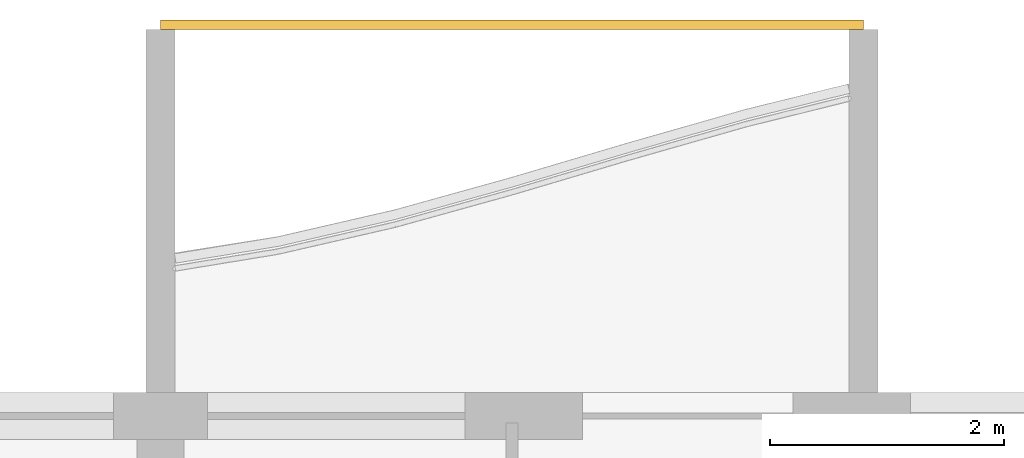
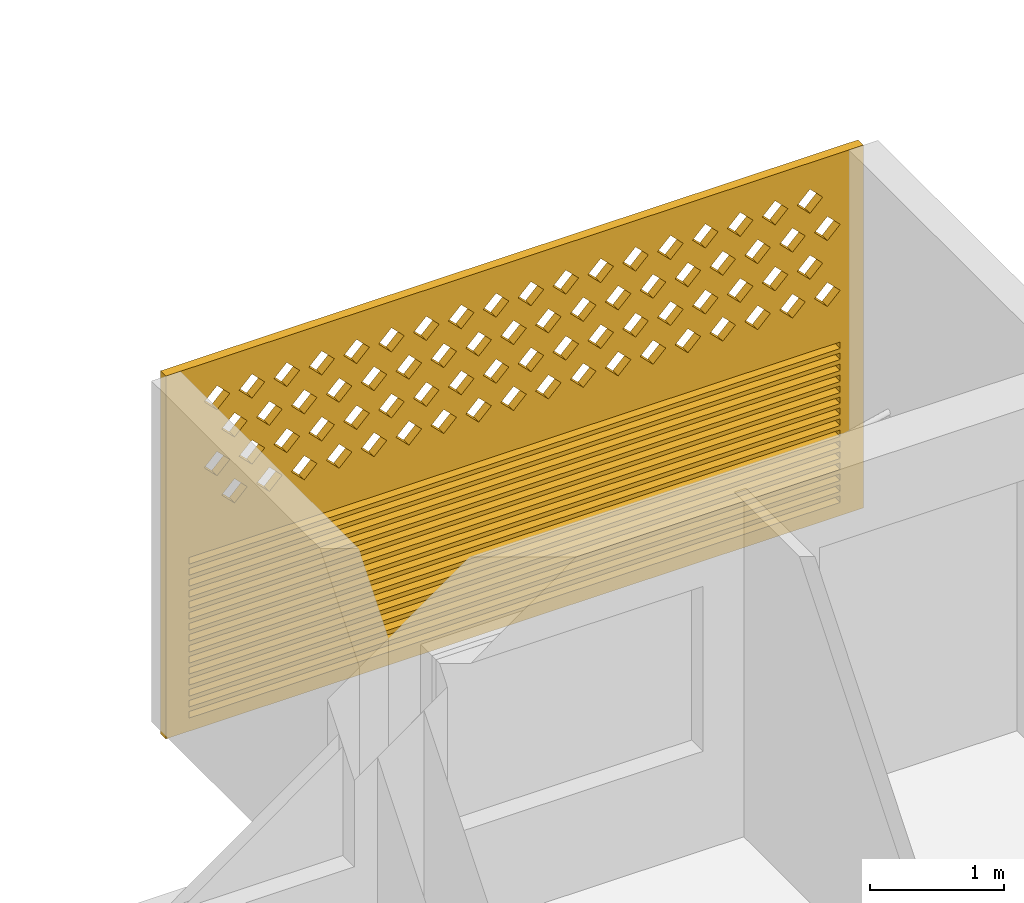
# One storey, part 25 of 40: 1 covering.
"""IFC4 building model written with IfcOpenShell, lengths in metres."""

from ifc_helpers import new_model, si_unit, direction, frame, origin, place, context, subcontext, project, spatial, polyline, outline, extrude, source, transform, mapped, material, material_profile, profile_set, type_object, element, save


model = new_model("IFC4")

# Units and contexts
model_context = context("Model", 3, precision=1e-05, world=origin(), true_north=direction((0.0, 1.0)))
body_context = subcontext(model_context, "Body", "Model", "MODEL_VIEW")
ifc_project = project(units=[si_unit("LENGTHUNIT", "METRE"), si_unit("AREAUNIT", "SQUARE_METRE"), si_unit("VOLUMEUNIT", "CUBIC_METRE"), si_unit("PLANEANGLEUNIT", "RADIAN"), si_unit("MASSUNIT", "GRAM", prefix="KILO")], contexts=[model_context])

# Site, building, storey
site_placement = place(None, origin())
site = spatial("IfcSite", under=ifc_project, at=site_placement, CompositionType="ELEMENT")
building_placement = place(site_placement, origin())
building = spatial("IfcBuilding", under=site, at=building_placement, Name="Poui Terraces", CompositionType="ELEMENT")
storey_placement = place(building_placement, frame((0.0, 0.0, 33.300048828125)))
storey = spatial("IfcBuildingStorey", under=building, at=storey_placement, Name="L08", CompositionType="ELEMENT", Elevation=33.300048828125)

# Covering
ifc_material = material(Name="Terracotta screen", Category="masonry")
ifc_material_profile = material_profile(ifc_material, outline(polyline([(-3.0, -1.64990234375), (3.0, -1.64990234375), (3.0, 1.64990234375), (-3.0, 1.64990234375), (-3.0, -1.64990234375)]), holes=[polyline([(-2.800048828125, 0.39990234375), (-2.68994140625, 0.2900390625), (-2.580078125, 0.39990234375), (-2.68994140625, 0.510009765625), (-2.800048828125, 0.39990234375)]), polyline([(-2.5, 0.39990234375), (-2.389892578125, 0.2900390625), (-2.280029296875, 0.39990234375), (-2.389892578125, 0.510009765625), (-2.5, 0.39990234375)]), polyline([(-2.199951171875, 0.39990234375), (-2.090087890625, 0.2900390625), (-1.97998046875, 0.39990234375), (-2.090087890625, 0.510009765625), (-2.199951171875, 0.39990234375)]), polyline([(-1.89990234375, 0.39990234375), (-1.7900390625, 0.2900390625), (-1.679931640625, 0.39990234375), (-1.7900390625, 0.510009765625), (-1.89990234375, 0.39990234375)]), polyline([(-1.60009765625, 0.39990234375), (-1.489990234375, 0.2900390625), (-1.3798828125, 0.39990234375), (-1.489990234375, 0.510009765625), (-1.60009765625, 0.39990234375)]), polyline([(-1.300048828125, 0.39990234375), (-1.18994140625, 0.2900390625), (-1.080078125, 0.39990234375), (-1.18994140625, 0.510009765625), (-1.300048828125, 0.39990234375)]), polyline([(-1.0, 0.39990234375), (-0.889892578125, 0.2900390625), (-0.780029296875, 0.39990234375), (-0.889892578125, 0.510009765625), (-1.0, 0.39990234375)]), polyline([(-0.699951171875, 0.39990234375), (-0.590087890625, 0.2900390625), (-0.47998046875, 0.39990234375), (-0.590087890625, 0.510009765625), (-0.699951171875, 0.39990234375)]), polyline([(-0.39990234375, 0.39990234375), (-0.2900390625, 0.2900390625), (-0.179931640625, 0.39990234375), (-0.2900390625, 0.510009765625), (-0.39990234375, 0.39990234375)]), polyline([(-0.10009765625, 0.39990234375), (0.010009765625, 0.2900390625), (0.1201171875, 0.39990234375), (0.010009765625, 0.510009765625), (-0.10009765625, 0.39990234375)]), polyline([(0.199951171875, 0.39990234375), (0.31005859375, 0.2900390625), (0.419921875, 0.39990234375), (0.31005859375, 0.510009765625), (0.199951171875, 0.39990234375)]), polyline([(0.5, 0.39990234375), (0.610107421875, 0.2900390625), (0.719970703125, 0.39990234375), (0.610107421875, 0.510009765625), (0.5, 0.39990234375)]), polyline([(0.800048828125, 0.39990234375), (0.909912109375, 0.2900390625), (1.02001953125, 0.39990234375), (0.909912109375, 0.510009765625), (0.800048828125, 0.39990234375)]), polyline([(1.10009765625, 0.39990234375), (1.2099609375, 0.2900390625), (1.320068359375, 0.39990234375), (1.2099609375, 0.510009765625), (1.10009765625, 0.39990234375)]), polyline([(1.39990234375, 0.39990234375), (1.510009765625, 0.2900390625), (1.6201171875, 0.39990234375), (1.510009765625, 0.510009765625), (1.39990234375, 0.39990234375)]), polyline([(1.699951171875, 0.39990234375), (1.81005859375, 0.2900390625), (1.919921875, 0.39990234375), (1.81005859375, 0.510009765625), (1.699951171875, 0.39990234375)]), polyline([(2.0, 0.39990234375), (2.110107421875, 0.2900390625), (2.219970703125, 0.39990234375), (2.110107421875, 0.510009765625), (2.0, 0.39990234375)]), polyline([(2.300048828125, 0.39990234375), (2.409912109375, 0.2900390625), (2.52001953125, 0.39990234375), (2.409912109375, 0.510009765625), (2.300048828125, 0.39990234375)]), polyline([(-2.64990234375, 0.699951171875), (-2.5400390625, 0.590087890625), (-2.429931640625, 0.699951171875), (-2.5400390625, 0.81005859375), (-2.64990234375, 0.699951171875)]), polyline([(-2.35009765625, 0.699951171875), (-2.239990234375, 0.590087890625), (-2.1298828125, 0.699951171875), (-2.239990234375, 0.81005859375), (-2.35009765625, 0.699951171875)]), polyline([(-2.050048828125, 0.699951171875), (-1.93994140625, 0.590087890625), (-1.830078125, 0.699951171875), (-1.93994140625, 0.81005859375), (-2.050048828125, 0.699951171875)]), polyline([(-1.75, 0.699951171875), (-1.639892578125, 0.590087890625), (-1.530029296875, 0.699951171875), (-1.639892578125, 0.81005859375), (-1.75, 0.699951171875)]), polyline([(-1.449951171875, 0.699951171875), (-1.340087890625, 0.590087890625), (-1.22998046875, 0.699951171875), (-1.340087890625, 0.81005859375), (-1.449951171875, 0.699951171875)]), polyline([(-1.14990234375, 0.699951171875), (-1.0400390625, 0.590087890625), (-0.929931640625, 0.699951171875), (-1.0400390625, 0.81005859375), (-1.14990234375, 0.699951171875)]), polyline([(-0.85009765625, 0.699951171875), (-0.739990234375, 0.590087890625), (-0.6298828125, 0.699951171875), (-0.739990234375, 0.81005859375), (-0.85009765625, 0.699951171875)]), polyline([(-0.550048828125, 0.699951171875), (-0.43994140625, 0.590087890625), (-0.330078125, 0.699951171875), (-0.43994140625, 0.81005859375), (-0.550048828125, 0.699951171875)]), polyline([(-0.25, 0.699951171875), (-0.139892578125, 0.590087890625), (-0.030029296875, 0.699951171875), (-0.139892578125, 0.81005859375), (-0.25, 0.699951171875)]), polyline([(0.050048828125, 0.699951171875), (0.159912109375, 0.590087890625), (0.27001953125, 0.699951171875), (0.159912109375, 0.81005859375), (0.050048828125, 0.699951171875)]), polyline([(0.35009765625, 0.699951171875), (0.4599609375, 0.590087890625), (0.570068359375, 0.699951171875), (0.4599609375, 0.81005859375), (0.35009765625, 0.699951171875)]), polyline([(0.64990234375, 0.699951171875), (0.760009765625, 0.590087890625), (0.8701171875, 0.699951171875), (0.760009765625, 0.81005859375), (0.64990234375, 0.699951171875)]), polyline([(0.949951171875, 0.699951171875), (1.06005859375, 0.590087890625), (1.169921875, 0.699951171875), (1.06005859375, 0.81005859375), (0.949951171875, 0.699951171875)]), polyline([(1.25, 0.699951171875), (1.360107421875, 0.590087890625), (1.469970703125, 0.699951171875), (1.360107421875, 0.81005859375), (1.25, 0.699951171875)]), polyline([(1.550048828125, 0.699951171875), (1.659912109375, 0.590087890625), (1.77001953125, 0.699951171875), (1.659912109375, 0.81005859375), (1.550048828125, 0.699951171875)]), polyline([(1.85009765625, 0.699951171875), (1.9599609375, 0.590087890625), (2.070068359375, 0.699951171875), (1.9599609375, 0.81005859375), (1.85009765625, 0.699951171875)]), polyline([(2.14990234375, 0.699951171875), (2.260009765625, 0.590087890625), (2.3701171875, 0.699951171875), (2.260009765625, 0.81005859375), (2.14990234375, 0.699951171875)]), polyline([(2.449951171875, 0.699951171875), (2.56005859375, 0.590087890625), (2.669921875, 0.699951171875), (2.56005859375, 0.81005859375), (2.449951171875, 0.699951171875)]), polyline([(-2.800048828125, 1.0), (-2.68994140625, 0.889892578125), (-2.580078125, 1.0), (-2.68994140625, 1.110107421875), (-2.800048828125, 1.0)]), polyline([(-2.5, 1.0), (-2.389892578125, 0.889892578125), (-2.280029296875, 1.0), (-2.389892578125, 1.110107421875), (-2.5, 1.0)]), polyline([(-2.199951171875, 1.0), (-2.090087890625, 0.889892578125), (-1.97998046875, 1.0), (-2.090087890625, 1.110107421875), (-2.199951171875, 1.0)]), polyline([(-1.89990234375, 1.0), (-1.7900390625, 0.889892578125), (-1.679931640625, 1.0), (-1.7900390625, 1.110107421875), (-1.89990234375, 1.0)]), polyline([(-1.60009765625, 1.0), (-1.489990234375, 0.889892578125), (-1.3798828125, 1.0), (-1.489990234375, 1.110107421875), (-1.60009765625, 1.0)]), polyline([(-1.300048828125, 1.0), (-1.18994140625, 0.889892578125), (-1.080078125, 1.0), (-1.18994140625, 1.110107421875), (-1.300048828125, 1.0)]), polyline([(-1.0, 1.0), (-0.889892578125, 0.889892578125), (-0.780029296875, 1.0), (-0.889892578125, 1.110107421875), (-1.0, 1.0)]), polyline([(-0.699951171875, 1.0), (-0.590087890625, 0.889892578125), (-0.47998046875, 1.0), (-0.590087890625, 1.110107421875), (-0.699951171875, 1.0)]), polyline([(-0.39990234375, 1.0), (-0.2900390625, 0.889892578125), (-0.179931640625, 1.0), (-0.2900390625, 1.110107421875), (-0.39990234375, 1.0)]), polyline([(-0.10009765625, 1.0), (0.010009765625, 0.889892578125), (0.1201171875, 1.0), (0.010009765625, 1.110107421875), (-0.10009765625, 1.0)]), polyline([(0.199951171875, 1.0), (0.31005859375, 0.889892578125), (0.419921875, 1.0), (0.31005859375, 1.110107421875), (0.199951171875, 1.0)]), polyline([(0.5, 1.0), (0.610107421875, 0.889892578125), (0.719970703125, 1.0), (0.610107421875, 1.110107421875), (0.5, 1.0)]), polyline([(0.800048828125, 1.0), (0.909912109375, 0.889892578125), (1.02001953125, 1.0), (0.909912109375, 1.110107421875), (0.800048828125, 1.0)]), polyline([(1.10009765625, 1.0), (1.2099609375, 0.889892578125), (1.320068359375, 1.0), (1.2099609375, 1.110107421875), (1.10009765625, 1.0)]), polyline([(1.39990234375, 1.0), (1.510009765625, 0.889892578125), (1.6201171875, 1.0), (1.510009765625, 1.110107421875), (1.39990234375, 1.0)]), polyline([(1.699951171875, 1.0), (1.81005859375, 0.889892578125), (1.919921875, 1.0), (1.81005859375, 1.110107421875), (1.699951171875, 1.0)]), polyline([(2.0, 1.0), (2.110107421875, 0.889892578125), (2.219970703125, 1.0), (2.110107421875, 1.110107421875), (2.0, 1.0)]), polyline([(2.300048828125, 1.0), (2.409912109375, 0.889892578125), (2.52001953125, 1.0), (2.409912109375, 1.110107421875), (2.300048828125, 1.0)]), polyline([(-2.64990234375, 1.300048828125), (-2.5400390625, 1.18994140625), (-2.429931640625, 1.300048828125), (-2.5400390625, 1.409912109375), (-2.64990234375, 1.300048828125)]), polyline([(-2.35009765625, 1.300048828125), (-2.239990234375, 1.18994140625), (-2.1298828125, 1.300048828125), (-2.239990234375, 1.409912109375), (-2.35009765625, 1.300048828125)]), polyline([(-2.050048828125, 1.300048828125), (-1.93994140625, 1.18994140625), (-1.830078125, 1.300048828125), (-1.93994140625, 1.409912109375), (-2.050048828125, 1.300048828125)]), polyline([(-1.75, 1.300048828125), (-1.639892578125, 1.18994140625), (-1.530029296875, 1.300048828125), (-1.639892578125, 1.409912109375), (-1.75, 1.300048828125)]), polyline([(-1.449951171875, 1.300048828125), (-1.340087890625, 1.18994140625), (-1.22998046875, 1.300048828125), (-1.340087890625, 1.409912109375), (-1.449951171875, 1.300048828125)]), polyline([(-1.14990234375, 1.300048828125), (-1.0400390625, 1.18994140625), (-0.929931640625, 1.300048828125), (-1.0400390625, 1.409912109375), (-1.14990234375, 1.300048828125)]), polyline([(-0.85009765625, 1.300048828125), (-0.739990234375, 1.18994140625), (-0.6298828125, 1.300048828125), (-0.739990234375, 1.409912109375), (-0.85009765625, 1.300048828125)]), polyline([(-0.550048828125, 1.300048828125), (-0.43994140625, 1.18994140625), (-0.330078125, 1.300048828125), (-0.43994140625, 1.409912109375), (-0.550048828125, 1.300048828125)]), polyline([(-0.25, 1.300048828125), (-0.139892578125, 1.18994140625), (-0.030029296875, 1.300048828125), (-0.139892578125, 1.409912109375), (-0.25, 1.300048828125)]), polyline([(0.050048828125, 1.300048828125), (0.159912109375, 1.18994140625), (0.27001953125, 1.300048828125), (0.159912109375, 1.409912109375), (0.050048828125, 1.300048828125)]), polyline([(0.35009765625, 1.300048828125), (0.4599609375, 1.18994140625), (0.570068359375, 1.300048828125), (0.4599609375, 1.409912109375), (0.35009765625, 1.300048828125)]), polyline([(0.64990234375, 1.300048828125), (0.760009765625, 1.18994140625), (0.8701171875, 1.300048828125), (0.760009765625, 1.409912109375), (0.64990234375, 1.300048828125)]), polyline([(0.949951171875, 1.300048828125), (1.06005859375, 1.18994140625), (1.169921875, 1.300048828125), (1.06005859375, 1.409912109375), (0.949951171875, 1.300048828125)]), polyline([(1.25, 1.300048828125), (1.360107421875, 1.18994140625), (1.469970703125, 1.300048828125), (1.360107421875, 1.409912109375), (1.25, 1.300048828125)]), polyline([(1.550048828125, 1.300048828125), (1.659912109375, 1.18994140625), (1.77001953125, 1.300048828125), (1.659912109375, 1.409912109375), (1.550048828125, 1.300048828125)]), polyline([(1.85009765625, 1.300048828125), (1.9599609375, 1.18994140625), (2.070068359375, 1.300048828125), (1.9599609375, 1.409912109375), (1.85009765625, 1.300048828125)]), polyline([(2.14990234375, 1.300048828125), (2.260009765625, 1.18994140625), (2.3701171875, 1.300048828125), (2.260009765625, 1.409912109375), (2.14990234375, 1.300048828125)]), polyline([(2.449951171875, 1.300048828125), (2.56005859375, 1.18994140625), (2.669921875, 1.300048828125), (2.56005859375, 1.409912109375), (2.449951171875, 1.300048828125)]), polyline([(-2.800048828125, -1.530029296875), (2.800048828125, -1.530029296875), (2.800048828125, -1.469970703125), (-2.800048828125, -1.469970703125), (-2.800048828125, -1.530029296875)]), polyline([(-2.800048828125, -1.429931640625), (2.800048828125, -1.429931640625), (2.800048828125, -1.3701171875), (-2.800048828125, -1.3701171875), (-2.800048828125, -1.429931640625)]), polyline([(-2.800048828125, -1.330078125), (2.800048828125, -1.330078125), (2.800048828125, -1.27001953125), (-2.800048828125, -1.27001953125), (-2.800048828125, -1.330078125)]), polyline([(-2.800048828125, -1.22998046875), (2.800048828125, -1.22998046875), (2.800048828125, -1.169921875), (-2.800048828125, -1.169921875), (-2.800048828125, -1.22998046875)]), polyline([(-2.800048828125, -1.1298828125), (2.800048828125, -1.1298828125), (2.800048828125, -1.070068359375), (-2.800048828125, -1.070068359375), (-2.800048828125, -1.1298828125)]), polyline([(-2.800048828125, -1.030029296875), (2.800048828125, -1.030029296875), (2.800048828125, -0.969970703125), (-2.800048828125, -0.969970703125), (-2.800048828125, -1.030029296875)]), polyline([(-2.800048828125, -0.929931640625), (2.800048828125, -0.929931640625), (2.800048828125, -0.8701171875), (-2.800048828125, -0.8701171875), (-2.800048828125, -0.929931640625)]), polyline([(-2.800048828125, -0.830078125), (2.800048828125, -0.830078125), (2.800048828125, -0.77001953125), (-2.800048828125, -0.77001953125), (-2.800048828125, -0.830078125)]), polyline([(-2.800048828125, -0.72998046875), (2.800048828125, -0.72998046875), (2.800048828125, -0.669921875), (-2.800048828125, -0.669921875), (-2.800048828125, -0.72998046875)]), polyline([(-2.800048828125, -0.6298828125), (2.800048828125, -0.6298828125), (2.800048828125, -0.570068359375), (-2.800048828125, -0.570068359375), (-2.800048828125, -0.6298828125)]), polyline([(-2.800048828125, -0.530029296875), (2.800048828125, -0.530029296875), (2.800048828125, -0.469970703125), (-2.800048828125, -0.469970703125), (-2.800048828125, -0.530029296875)]), polyline([(-2.800048828125, -0.429931640625), (2.800048828125, -0.429931640625), (2.800048828125, -0.3701171875), (-2.800048828125, -0.3701171875), (-2.800048828125, -0.429931640625)]), polyline([(-2.800048828125, -0.330078125), (2.800048828125, -0.330078125), (2.800048828125, -0.27001953125), (-2.800048828125, -0.27001953125), (-2.800048828125, -0.330078125)]), polyline([(-2.800048828125, -0.22998046875), (2.800048828125, -0.22998046875), (2.800048828125, -0.169921875), (-2.800048828125, -0.169921875), (-2.800048828125, -0.22998046875)]), polyline([(-2.800048828125, -0.1298828125), (2.800048828125, -0.1298828125), (2.800048828125, -0.070068359375), (-2.800048828125, -0.070068359375), (-2.800048828125, -0.1298828125)])]), Name="TERRACOTTA SCREEN AND JALOUSIE LOUVRE 6000X3300")
ifc_profile_set = profile_set([ifc_material_profile], Name="Terracotta screen")
covering_type = type_object("IfcCoveringType", Name="TERRACOTTA SCREEN AND JALOUSIE LOUVRE 6000X3300", PredefinedType="CLADDING", material=ifc_profile_set)
shared_shape = source(origin(), body_context, "Body", "SweptSolid", [
    extrude(outline(polyline([(-3.0, -1.64990234375), (3.0, -1.64990234375), (3.0, 1.64990234375), (-3.0, 1.64990234375), (-3.0, -1.64990234375)]), holes=[polyline([(-2.800048828125, 0.39990234375), (-2.68994140625, 0.2900390625), (-2.580078125, 0.39990234375), (-2.68994140625, 0.510009765625), (-2.800048828125, 0.39990234375)]), polyline([(-2.5, 0.39990234375), (-2.389892578125, 0.2900390625), (-2.280029296875, 0.39990234375), (-2.389892578125, 0.510009765625), (-2.5, 0.39990234375)]), polyline([(-2.199951171875, 0.39990234375), (-2.090087890625, 0.2900390625), (-1.97998046875, 0.39990234375), (-2.090087890625, 0.510009765625), (-2.199951171875, 0.39990234375)]), polyline([(-1.89990234375, 0.39990234375), (-1.7900390625, 0.2900390625), (-1.679931640625, 0.39990234375), (-1.7900390625, 0.510009765625), (-1.89990234375, 0.39990234375)]), polyline([(-1.60009765625, 0.39990234375), (-1.489990234375, 0.2900390625), (-1.3798828125, 0.39990234375), (-1.489990234375, 0.510009765625), (-1.60009765625, 0.39990234375)]), polyline([(-1.300048828125, 0.39990234375), (-1.18994140625, 0.2900390625), (-1.080078125, 0.39990234375), (-1.18994140625, 0.510009765625), (-1.300048828125, 0.39990234375)]), polyline([(-1.0, 0.39990234375), (-0.889892578125, 0.2900390625), (-0.780029296875, 0.39990234375), (-0.889892578125, 0.510009765625), (-1.0, 0.39990234375)]), polyline([(-0.699951171875, 0.39990234375), (-0.590087890625, 0.2900390625), (-0.47998046875, 0.39990234375), (-0.590087890625, 0.510009765625), (-0.699951171875, 0.39990234375)]), polyline([(-0.39990234375, 0.39990234375), (-0.2900390625, 0.2900390625), (-0.179931640625, 0.39990234375), (-0.2900390625, 0.510009765625), (-0.39990234375, 0.39990234375)]), polyline([(-0.10009765625, 0.39990234375), (0.010009765625, 0.2900390625), (0.1201171875, 0.39990234375), (0.010009765625, 0.510009765625), (-0.10009765625, 0.39990234375)]), polyline([(0.199951171875, 0.39990234375), (0.31005859375, 0.2900390625), (0.419921875, 0.39990234375), (0.31005859375, 0.510009765625), (0.199951171875, 0.39990234375)]), polyline([(0.5, 0.39990234375), (0.610107421875, 0.2900390625), (0.719970703125, 0.39990234375), (0.610107421875, 0.510009765625), (0.5, 0.39990234375)]), polyline([(0.800048828125, 0.39990234375), (0.909912109375, 0.2900390625), (1.02001953125, 0.39990234375), (0.909912109375, 0.510009765625), (0.800048828125, 0.39990234375)]), polyline([(1.10009765625, 0.39990234375), (1.2099609375, 0.2900390625), (1.320068359375, 0.39990234375), (1.2099609375, 0.510009765625), (1.10009765625, 0.39990234375)]), polyline([(1.39990234375, 0.39990234375), (1.510009765625, 0.2900390625), (1.6201171875, 0.39990234375), (1.510009765625, 0.510009765625), (1.39990234375, 0.39990234375)]), polyline([(1.699951171875, 0.39990234375), (1.81005859375, 0.2900390625), (1.919921875, 0.39990234375), (1.81005859375, 0.510009765625), (1.699951171875, 0.39990234375)]), polyline([(2.0, 0.39990234375), (2.110107421875, 0.2900390625), (2.219970703125, 0.39990234375), (2.110107421875, 0.510009765625), (2.0, 0.39990234375)]), polyline([(2.300048828125, 0.39990234375), (2.409912109375, 0.2900390625), (2.52001953125, 0.39990234375), (2.409912109375, 0.510009765625), (2.300048828125, 0.39990234375)]), polyline([(-2.64990234375, 0.699951171875), (-2.5400390625, 0.590087890625), (-2.429931640625, 0.699951171875), (-2.5400390625, 0.81005859375), (-2.64990234375, 0.699951171875)]), polyline([(-2.35009765625, 0.699951171875), (-2.239990234375, 0.590087890625), (-2.1298828125, 0.699951171875), (-2.239990234375, 0.81005859375), (-2.35009765625, 0.699951171875)]), polyline([(-2.050048828125, 0.699951171875), (-1.93994140625, 0.590087890625), (-1.830078125, 0.699951171875), (-1.93994140625, 0.81005859375), (-2.050048828125, 0.699951171875)]), polyline([(-1.75, 0.699951171875), (-1.639892578125, 0.590087890625), (-1.530029296875, 0.699951171875), (-1.639892578125, 0.81005859375), (-1.75, 0.699951171875)]), polyline([(-1.449951171875, 0.699951171875), (-1.340087890625, 0.590087890625), (-1.22998046875, 0.699951171875), (-1.340087890625, 0.81005859375), (-1.449951171875, 0.699951171875)]), polyline([(-1.14990234375, 0.699951171875), (-1.0400390625, 0.590087890625), (-0.929931640625, 0.699951171875), (-1.0400390625, 0.81005859375), (-1.14990234375, 0.699951171875)]), polyline([(-0.85009765625, 0.699951171875), (-0.739990234375, 0.590087890625), (-0.6298828125, 0.699951171875), (-0.739990234375, 0.81005859375), (-0.85009765625, 0.699951171875)]), polyline([(-0.550048828125, 0.699951171875), (-0.43994140625, 0.590087890625), (-0.330078125, 0.699951171875), (-0.43994140625, 0.81005859375), (-0.550048828125, 0.699951171875)]), polyline([(-0.25, 0.699951171875), (-0.139892578125, 0.590087890625), (-0.030029296875, 0.699951171875), (-0.139892578125, 0.81005859375), (-0.25, 0.699951171875)]), polyline([(0.050048828125, 0.699951171875), (0.159912109375, 0.590087890625), (0.27001953125, 0.699951171875), (0.159912109375, 0.81005859375), (0.050048828125, 0.699951171875)]), polyline([(0.35009765625, 0.699951171875), (0.4599609375, 0.590087890625), (0.570068359375, 0.699951171875), (0.4599609375, 0.81005859375), (0.35009765625, 0.699951171875)]), polyline([(0.64990234375, 0.699951171875), (0.760009765625, 0.590087890625), (0.8701171875, 0.699951171875), (0.760009765625, 0.81005859375), (0.64990234375, 0.699951171875)]), polyline([(0.949951171875, 0.699951171875), (1.06005859375, 0.590087890625), (1.169921875, 0.699951171875), (1.06005859375, 0.81005859375), (0.949951171875, 0.699951171875)]), polyline([(1.25, 0.699951171875), (1.360107421875, 0.590087890625), (1.469970703125, 0.699951171875), (1.360107421875, 0.81005859375), (1.25, 0.699951171875)]), polyline([(1.550048828125, 0.699951171875), (1.659912109375, 0.590087890625), (1.77001953125, 0.699951171875), (1.659912109375, 0.81005859375), (1.550048828125, 0.699951171875)]), polyline([(1.85009765625, 0.699951171875), (1.9599609375, 0.590087890625), (2.070068359375, 0.699951171875), (1.9599609375, 0.81005859375), (1.85009765625, 0.699951171875)]), polyline([(2.14990234375, 0.699951171875), (2.260009765625, 0.590087890625), (2.3701171875, 0.699951171875), (2.260009765625, 0.81005859375), (2.14990234375, 0.699951171875)]), polyline([(2.449951171875, 0.699951171875), (2.56005859375, 0.590087890625), (2.669921875, 0.699951171875), (2.56005859375, 0.81005859375), (2.449951171875, 0.699951171875)]), polyline([(-2.800048828125, 1.0), (-2.68994140625, 0.889892578125), (-2.580078125, 1.0), (-2.68994140625, 1.110107421875), (-2.800048828125, 1.0)]), polyline([(-2.5, 1.0), (-2.389892578125, 0.889892578125), (-2.280029296875, 1.0), (-2.389892578125, 1.110107421875), (-2.5, 1.0)]), polyline([(-2.199951171875, 1.0), (-2.090087890625, 0.889892578125), (-1.97998046875, 1.0), (-2.090087890625, 1.110107421875), (-2.199951171875, 1.0)]), polyline([(-1.89990234375, 1.0), (-1.7900390625, 0.889892578125), (-1.679931640625, 1.0), (-1.7900390625, 1.110107421875), (-1.89990234375, 1.0)]), polyline([(-1.60009765625, 1.0), (-1.489990234375, 0.889892578125), (-1.3798828125, 1.0), (-1.489990234375, 1.110107421875), (-1.60009765625, 1.0)]), polyline([(-1.300048828125, 1.0), (-1.18994140625, 0.889892578125), (-1.080078125, 1.0), (-1.18994140625, 1.110107421875), (-1.300048828125, 1.0)]), polyline([(-1.0, 1.0), (-0.889892578125, 0.889892578125), (-0.780029296875, 1.0), (-0.889892578125, 1.110107421875), (-1.0, 1.0)]), polyline([(-0.699951171875, 1.0), (-0.590087890625, 0.889892578125), (-0.47998046875, 1.0), (-0.590087890625, 1.110107421875), (-0.699951171875, 1.0)]), polyline([(-0.39990234375, 1.0), (-0.2900390625, 0.889892578125), (-0.179931640625, 1.0), (-0.2900390625, 1.110107421875), (-0.39990234375, 1.0)]), polyline([(-0.10009765625, 1.0), (0.010009765625, 0.889892578125), (0.1201171875, 1.0), (0.010009765625, 1.110107421875), (-0.10009765625, 1.0)]), polyline([(0.199951171875, 1.0), (0.31005859375, 0.889892578125), (0.419921875, 1.0), (0.31005859375, 1.110107421875), (0.199951171875, 1.0)]), polyline([(0.5, 1.0), (0.610107421875, 0.889892578125), (0.719970703125, 1.0), (0.610107421875, 1.110107421875), (0.5, 1.0)]), polyline([(0.800048828125, 1.0), (0.909912109375, 0.889892578125), (1.02001953125, 1.0), (0.909912109375, 1.110107421875), (0.800048828125, 1.0)]), polyline([(1.10009765625, 1.0), (1.2099609375, 0.889892578125), (1.320068359375, 1.0), (1.2099609375, 1.110107421875), (1.10009765625, 1.0)]), polyline([(1.39990234375, 1.0), (1.510009765625, 0.889892578125), (1.6201171875, 1.0), (1.510009765625, 1.110107421875), (1.39990234375, 1.0)]), polyline([(1.699951171875, 1.0), (1.81005859375, 0.889892578125), (1.919921875, 1.0), (1.81005859375, 1.110107421875), (1.699951171875, 1.0)]), polyline([(2.0, 1.0), (2.110107421875, 0.889892578125), (2.219970703125, 1.0), (2.110107421875, 1.110107421875), (2.0, 1.0)]), polyline([(2.300048828125, 1.0), (2.409912109375, 0.889892578125), (2.52001953125, 1.0), (2.409912109375, 1.110107421875), (2.300048828125, 1.0)]), polyline([(-2.64990234375, 1.300048828125), (-2.5400390625, 1.18994140625), (-2.429931640625, 1.300048828125), (-2.5400390625, 1.409912109375), (-2.64990234375, 1.300048828125)]), polyline([(-2.35009765625, 1.300048828125), (-2.239990234375, 1.18994140625), (-2.1298828125, 1.300048828125), (-2.239990234375, 1.409912109375), (-2.35009765625, 1.300048828125)]), polyline([(-2.050048828125, 1.300048828125), (-1.93994140625, 1.18994140625), (-1.830078125, 1.300048828125), (-1.93994140625, 1.409912109375), (-2.050048828125, 1.300048828125)]), polyline([(-1.75, 1.300048828125), (-1.639892578125, 1.18994140625), (-1.530029296875, 1.300048828125), (-1.639892578125, 1.409912109375), (-1.75, 1.300048828125)]), polyline([(-1.449951171875, 1.300048828125), (-1.340087890625, 1.18994140625), (-1.22998046875, 1.300048828125), (-1.340087890625, 1.409912109375), (-1.449951171875, 1.300048828125)]), polyline([(-1.14990234375, 1.300048828125), (-1.0400390625, 1.18994140625), (-0.929931640625, 1.300048828125), (-1.0400390625, 1.409912109375), (-1.14990234375, 1.300048828125)]), polyline([(-0.85009765625, 1.300048828125), (-0.739990234375, 1.18994140625), (-0.6298828125, 1.300048828125), (-0.739990234375, 1.409912109375), (-0.85009765625, 1.300048828125)]), polyline([(-0.550048828125, 1.300048828125), (-0.43994140625, 1.18994140625), (-0.330078125, 1.300048828125), (-0.43994140625, 1.409912109375), (-0.550048828125, 1.300048828125)]), polyline([(-0.25, 1.300048828125), (-0.139892578125, 1.18994140625), (-0.030029296875, 1.300048828125), (-0.139892578125, 1.409912109375), (-0.25, 1.300048828125)]), polyline([(0.050048828125, 1.300048828125), (0.159912109375, 1.18994140625), (0.27001953125, 1.300048828125), (0.159912109375, 1.409912109375), (0.050048828125, 1.300048828125)]), polyline([(0.35009765625, 1.300048828125), (0.4599609375, 1.18994140625), (0.570068359375, 1.300048828125), (0.4599609375, 1.409912109375), (0.35009765625, 1.300048828125)]), polyline([(0.64990234375, 1.300048828125), (0.760009765625, 1.18994140625), (0.8701171875, 1.300048828125), (0.760009765625, 1.409912109375), (0.64990234375, 1.300048828125)]), polyline([(0.949951171875, 1.300048828125), (1.06005859375, 1.18994140625), (1.169921875, 1.300048828125), (1.06005859375, 1.409912109375), (0.949951171875, 1.300048828125)]), polyline([(1.25, 1.300048828125), (1.360107421875, 1.18994140625), (1.469970703125, 1.300048828125), (1.360107421875, 1.409912109375), (1.25, 1.300048828125)]), polyline([(1.550048828125, 1.300048828125), (1.659912109375, 1.18994140625), (1.77001953125, 1.300048828125), (1.659912109375, 1.409912109375), (1.550048828125, 1.300048828125)]), polyline([(1.85009765625, 1.300048828125), (1.9599609375, 1.18994140625), (2.070068359375, 1.300048828125), (1.9599609375, 1.409912109375), (1.85009765625, 1.300048828125)]), polyline([(2.14990234375, 1.300048828125), (2.260009765625, 1.18994140625), (2.3701171875, 1.300048828125), (2.260009765625, 1.409912109375), (2.14990234375, 1.300048828125)]), polyline([(2.449951171875, 1.300048828125), (2.56005859375, 1.18994140625), (2.669921875, 1.300048828125), (2.56005859375, 1.409912109375), (2.449951171875, 1.300048828125)]), polyline([(-2.800048828125, -1.530029296875), (2.800048828125, -1.530029296875), (2.800048828125, -1.469970703125), (-2.800048828125, -1.469970703125), (-2.800048828125, -1.530029296875)]), polyline([(-2.800048828125, -1.429931640625), (2.800048828125, -1.429931640625), (2.800048828125, -1.3701171875), (-2.800048828125, -1.3701171875), (-2.800048828125, -1.429931640625)]), polyline([(-2.800048828125, -1.330078125), (2.800048828125, -1.330078125), (2.800048828125, -1.27001953125), (-2.800048828125, -1.27001953125), (-2.800048828125, -1.330078125)]), polyline([(-2.800048828125, -1.22998046875), (2.800048828125, -1.22998046875), (2.800048828125, -1.169921875), (-2.800048828125, -1.169921875), (-2.800048828125, -1.22998046875)]), polyline([(-2.800048828125, -1.1298828125), (2.800048828125, -1.1298828125), (2.800048828125, -1.070068359375), (-2.800048828125, -1.070068359375), (-2.800048828125, -1.1298828125)]), polyline([(-2.800048828125, -1.030029296875), (2.800048828125, -1.030029296875), (2.800048828125, -0.969970703125), (-2.800048828125, -0.969970703125), (-2.800048828125, -1.030029296875)]), polyline([(-2.800048828125, -0.929931640625), (2.800048828125, -0.929931640625), (2.800048828125, -0.8701171875), (-2.800048828125, -0.8701171875), (-2.800048828125, -0.929931640625)]), polyline([(-2.800048828125, -0.830078125), (2.800048828125, -0.830078125), (2.800048828125, -0.77001953125), (-2.800048828125, -0.77001953125), (-2.800048828125, -0.830078125)]), polyline([(-2.800048828125, -0.72998046875), (2.800048828125, -0.72998046875), (2.800048828125, -0.669921875), (-2.800048828125, -0.669921875), (-2.800048828125, -0.72998046875)]), polyline([(-2.800048828125, -0.6298828125), (2.800048828125, -0.6298828125), (2.800048828125, -0.570068359375), (-2.800048828125, -0.570068359375), (-2.800048828125, -0.6298828125)]), polyline([(-2.800048828125, -0.530029296875), (2.800048828125, -0.530029296875), (2.800048828125, -0.469970703125), (-2.800048828125, -0.469970703125), (-2.800048828125, -0.530029296875)]), polyline([(-2.800048828125, -0.429931640625), (2.800048828125, -0.429931640625), (2.800048828125, -0.3701171875), (-2.800048828125, -0.3701171875), (-2.800048828125, -0.429931640625)]), polyline([(-2.800048828125, -0.330078125), (2.800048828125, -0.330078125), (2.800048828125, -0.27001953125), (-2.800048828125, -0.27001953125), (-2.800048828125, -0.330078125)]), polyline([(-2.800048828125, -0.22998046875), (2.800048828125, -0.22998046875), (2.800048828125, -0.169921875), (-2.800048828125, -0.169921875), (-2.800048828125, -0.22998046875)]), polyline([(-2.800048828125, -0.1298828125), (2.800048828125, -0.1298828125), (2.800048828125, -0.070068359375), (-2.800048828125, -0.070068359375), (-2.800048828125, -0.1298828125)])]), origin(), (0.0, 0.0, 1.0), 0.079833984375),
])
covering_placement = place(storey_placement, frame((27.0, 48.10009765625, 1.449951171875), z_axis=(0.0, 1.0, 0.0), x_axis=(-1.0, 0.0, 0.0)))
element("IfcCovering", 1, at=covering_placement, inside=storey, type_object=covering_type, Name="SOLAR SCREEN AND JALOUSIE LOUVRE", PredefinedType="CLADDING", context=body_context, shape_type="MappedRepresentation", body=[
    mapped(shared_shape, transform((0.0, 0.0, 0.0))),
])

save(model, "model.ifc")
